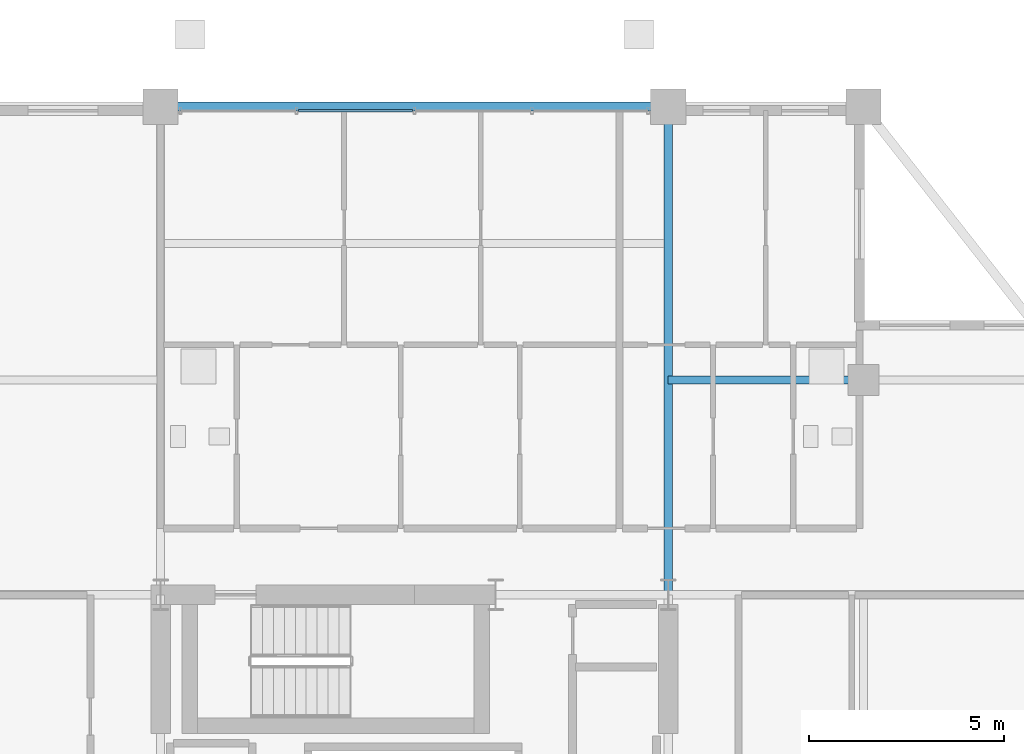
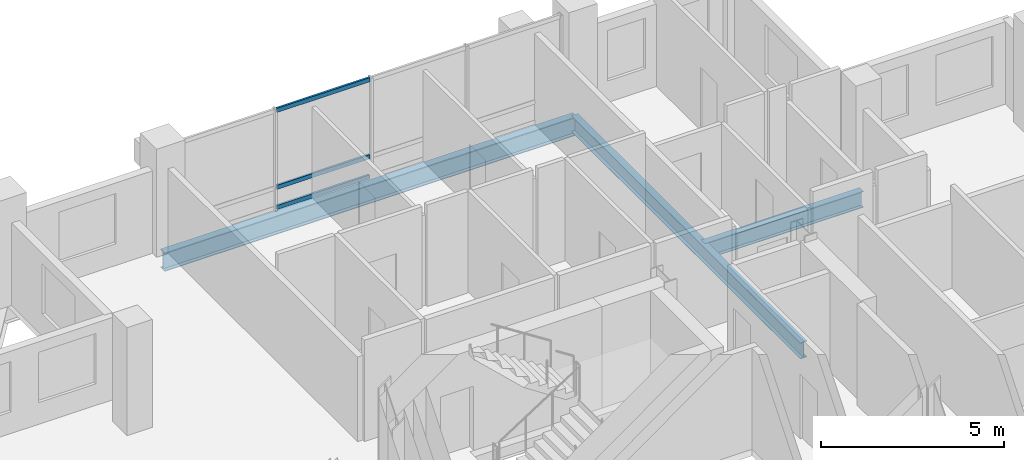
# One storey, part 13 of 21: 3 beams, 3 members, 1 element without a shape of its own.
"""IFC4 building model written with IfcOpenShell, lengths in metres."""

from ifc_helpers import new_model, si_unit, direction, frame, origin, origin_2d, place, context, subcontext, project, spatial, hollow_rectangle, i_section, extrude, material, layer, layer_set, material_profile, profile_set, type_object, element, aggregate, save


model = new_model("IFC4")

# Units and contexts
model_context = context("Model", 3, precision=1e-05, world=origin(), true_north=direction((0.0, 1.0)))
body_context = subcontext(model_context, "Body", "Model", "MODEL_VIEW")
ifc_project = project(units=[si_unit("LENGTHUNIT", "METRE"), si_unit("AREAUNIT", "SQUARE_METRE"), si_unit("VOLUMEUNIT", "CUBIC_METRE"), si_unit("PLANEANGLEUNIT", "RADIAN"), si_unit("MASSUNIT", "GRAM", prefix="KILO")], contexts=[model_context])

# Site, building, storey
site_placement = place(None, origin())
site = spatial("IfcSite", under=ifc_project, at=site_placement, CompositionType="ELEMENT")
building_placement = place(site_placement, origin())
building = spatial("IfcBuilding", under=site, at=building_placement, Name="Barlavira Tower and Art Museum", CompositionType="ELEMENT")
storey_placement = place(building_placement, frame((0.0, 0.0, 276.300048828125)))
storey = spatial("IfcBuildingStorey", under=building, at=storey_placement, Name="L72", CompositionType="ELEMENT", Elevation=276.300048828125)

# Curtain wall, members
ifc_material_1 = material(Name="Low-iron coastal laminated glass", Category="glass")
ifc_layer = layer(ifc_material_1, 0.2099609375, Name="Low-iron coastal laminated glass")
ifc_layer_set = layer_set([ifc_layer], Name="Low-iron coastal laminated glass")
curtain_wall_type = type_object("IfcCurtainWallType", Name="Pale-Metal Unitised Curtain Wall Zone 4", PredefinedType="NOTDEFINED", material=ifc_layer_set)
curtain_wall_placement = place(storey_placement, origin())
curtain_wall = element("IfcCurtainWall", 1, at=curtain_wall_placement, inside=storey, type_object=curtain_wall_type, Name="L72 Curtain Wall CW4-L72-N-B2", PredefinedType="NOTDEFINED")
ifc_material_2 = material(Name="Pale anodised aluminium", Category="aluminium")
ifc_material_profile_1 = material_profile(ifc_material_2, hollow_rectangle(XDim=0.06494140625, YDim=0.139892578125, WallThickness=0.00390625, at=origin_2d()), Name="ALU-TRAN 65x140x4")
ifc_profile_set_1 = profile_set([ifc_material_profile_1], Name="Pale anodised aluminium")
member_type = type_object("IfcMemberType", Name="Curtain Wall Pale-Metal Transom 65x140", PredefinedType="USERDEFINED", material=ifc_profile_set_1)
member_1_placement = place(storey_placement, frame((-0.044921875, 19.89990234375, 0.070068359375), z_axis=(-1.0, 0.0, 0.0), x_axis=(0.0, -1.0, 0.0)))
member_1 = element("IfcMember", 2, at=member_1_placement, type_object=member_type, Name="CW4-L72-N-B2 Transom 2.1", ObjectType="TRANSOM", PredefinedType="USERDEFINED", context=body_context, shape_type="SweptSolid", body=[
    extrude(hollow_rectangle(XDim=0.06494140625, YDim=0.139892578125, WallThickness=0.00390625, at=origin_2d()), origin(), (0.0, 0.0, 1.0), 2.925048828125),
])
member_2_placement = place(storey_placement, frame((-0.044921875, 19.89990234375, 0.743896484375), z_axis=(-1.0, 0.0, 0.0), x_axis=(0.0, -1.0, 0.0)))
member_2 = element("IfcMember", 3, at=member_2_placement, type_object=member_type, Name="CW4-L72-N-B2 Transom 2.2", ObjectType="TRANSOM", PredefinedType="USERDEFINED", context=body_context, shape_type="SweptSolid", body=[
    extrude(hollow_rectangle(XDim=0.06494140625, YDim=0.139892578125, WallThickness=0.00390625, at=origin_2d()), origin(), (0.0, 0.0, 1.0), 2.925048828125),
])
member_3_placement = place(storey_placement, frame((-0.044921875, 19.89990234375, 3.31005859375), z_axis=(-1.0, 0.0, 0.0), x_axis=(0.0, -1.0, 0.0)))
member_3 = element("IfcMember", 4, at=member_3_placement, type_object=member_type, Name="CW4-L72-N-B2 Transom 2.3", ObjectType="TRANSOM", PredefinedType="USERDEFINED", context=body_context, shape_type="SweptSolid", body=[
    extrude(hollow_rectangle(XDim=0.06494140625, YDim=0.139892578125, WallThickness=0.00390625, at=origin_2d()), origin(), (0.0, 0.0, 1.0), 2.925048828125),
])
aggregate(curtain_wall, [member_1, member_2, member_3])

# Beams
ifc_material_3 = material(Name="Steel S355", Category="steel")
ifc_material_profile_2 = material_profile(ifc_material_3, i_section(OverallWidth=0.22998046875, OverallDepth=0.616943359375, WebThickness=0.01318359375, FlangeThickness=0.022216796875, at=origin_2d()), Name="W610x140.0")
ifc_profile_set_2 = profile_set([ifc_material_profile_2], Name="Steel S355")
beam_type_1 = type_object("IfcBeamType", Name="Upper Shaft Spandrel Edge Beam W610x140 Steel S355", PredefinedType="SPANDREL", material=ifc_profile_set_2)
beam_1_placement = place(storey_placement, frame((-6.5, 20.0, -0.528564453125), z_axis=(1.0, 0.0, 0.0), x_axis=(0.0, 1.0, 0.0)))
element("IfcBeam", 5, at=beam_1_placement, inside=storey, type_object=beam_type_1, Name="L72 Spandrel 10", PredefinedType="SPANDREL", context=body_context, shape_type="SweptSolid", body=[
    extrude(i_section(OverallWidth=0.22998046875, OverallDepth=0.616943359375, WebThickness=0.01318359375, FlangeThickness=0.022216796875, at=origin_2d()), origin(), (0.0, 0.0, 1.0), 13.0),
])
ifc_material_profile_3 = material_profile(ifc_material_3, i_section(OverallWidth=0.2109375, OverallDepth=0.5390625, WebThickness=0.01171875, FlangeThickness=0.018798828125, at=origin_2d()), Name="W530x109.0")
ifc_profile_set_3 = profile_set([ifc_material_profile_3], Name="Steel S355")
beam_type_2 = type_object("IfcBeamType", Name="Zone 3-4 Primary Floor Girder W530x109 Steel S355", PredefinedType="BEAM", material=ifc_profile_set_3)
beam_2_placement = place(storey_placement, frame((6.5, 7.5, -0.489501953125), z_axis=(0.0, 1.0, 0.0), x_axis=(-1.0, 0.0, 0.0)))
element("IfcBeam", 6, at=beam_2_placement, inside=storey, type_object=beam_type_2, Name="L72 Girder R-N2", PredefinedType="BEAM", context=body_context, shape_type="SweptSolid", body=[
    extrude(i_section(OverallWidth=0.2109375, OverallDepth=0.5390625, WebThickness=0.01171875, FlangeThickness=0.018798828125, at=origin_2d()), origin(), (0.0, 0.0, 1.0), 12.5),
])
beam_3_placement = place(storey_placement, frame((6.5, 13.0, -0.489501953125), z_axis=(1.0, 0.0, 0.0), x_axis=(0.0, 1.0, 0.0)))
element("IfcBeam", 7, at=beam_3_placement, inside=storey, type_object=beam_type_2, Name="L72 Girder I-N3", PredefinedType="BEAM", context=body_context, shape_type="SweptSolid", body=[
    extrude(i_section(OverallWidth=0.2109375, OverallDepth=0.5390625, WebThickness=0.01171875, FlangeThickness=0.018798828125, at=origin_2d()), origin(), (0.0, 0.0, 1.0), 5.0),
])

save(model, "model.ifc")
